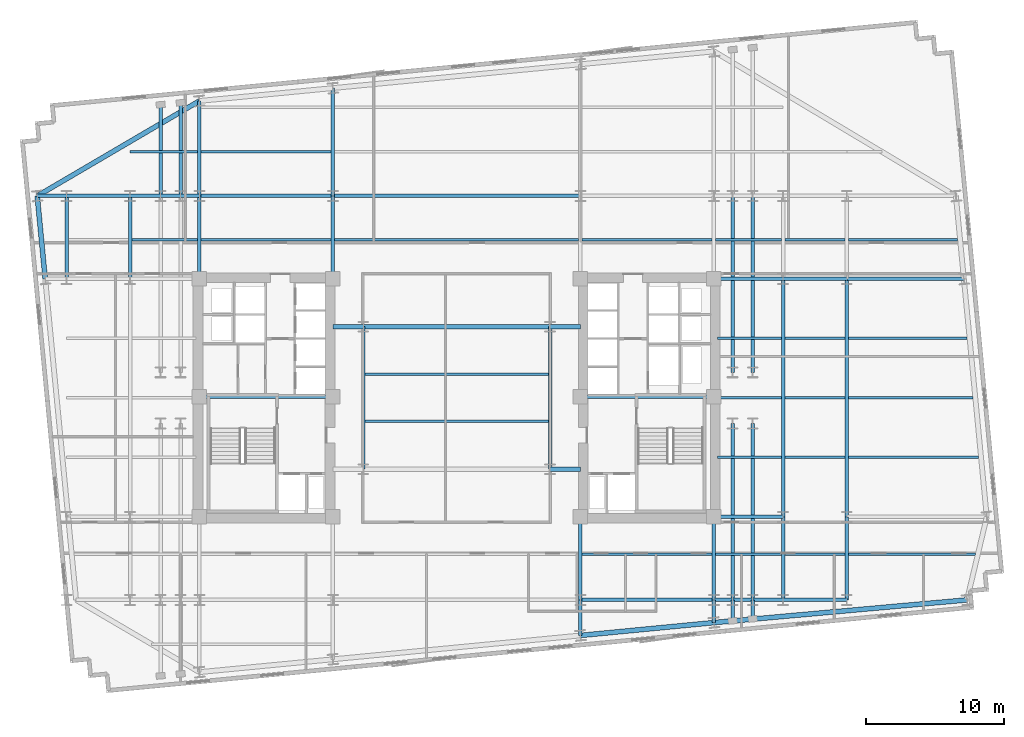
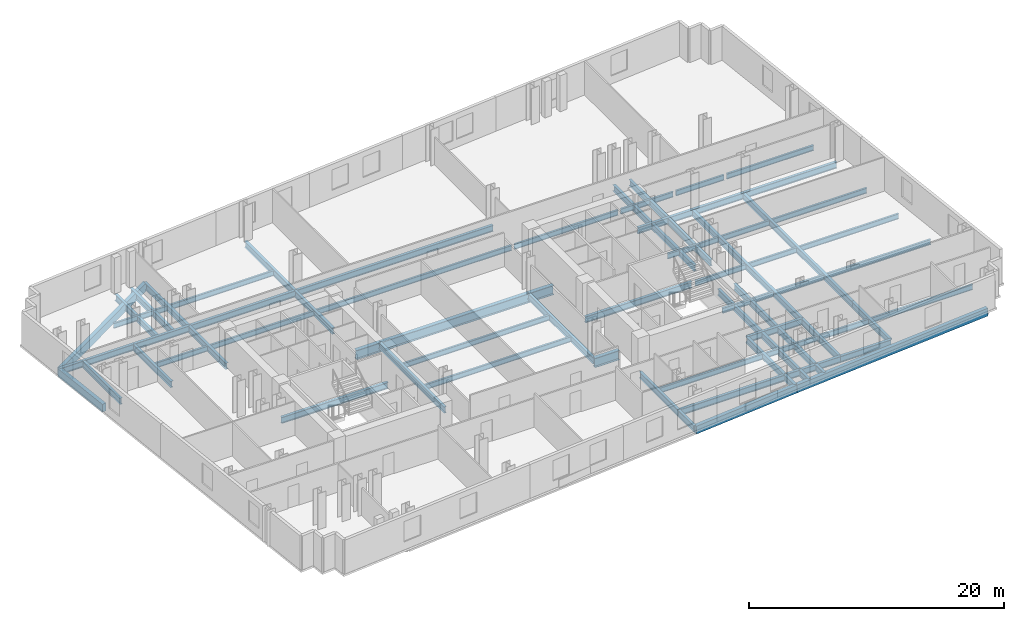
# One storey, part 2 of 10: 70 beams.
"""IFC4 building model written with IfcOpenShell, lengths in metres."""

from ifc_helpers import new_model, si_unit, direction, frame, origin, origin_2d, place, context, subcontext, project, spatial, rectangle, i_section, extrude, material, material_profile, profile_set, type_object, element, save


model = new_model("IFC4")

# Units and contexts
model_context = context("Model", 3, precision=1e-05, world=origin(), true_north=direction((0.0, 1.0)))
body_context = subcontext(model_context, "Body", "Model", "MODEL_VIEW")
ifc_project = project(units=[si_unit("LENGTHUNIT", "METRE"), si_unit("AREAUNIT", "SQUARE_METRE"), si_unit("VOLUMEUNIT", "CUBIC_METRE"), si_unit("PLANEANGLEUNIT", "RADIAN"), si_unit("MASSUNIT", "GRAM", prefix="KILO")], contexts=[model_context])

# Site, building, storey
site_placement = place(None, origin())
site = spatial("IfcSite", under=ifc_project, at=site_placement, CompositionType="ELEMENT")
building_placement = place(site_placement, origin())
building = spatial("IfcBuilding", under=site, at=building_placement, Name="Velakula Bourse", CompositionType="ELEMENT")
storey_placement = place(building_placement, frame((0.0, 0.0, 88.0)))
storey = spatial("IfcBuildingStorey", under=building, at=storey_placement, Name="L23", CompositionType="ELEMENT", Elevation=88.0)

# Beams
ifc_material_1 = material(Name="Steel IS 2062 Grade 350 (E350)", Category="steel")
ifc_material_profile_1 = material_profile(ifc_material_1, i_section(OverallWidth=0.25, OverallDepth=0.60009765625, WebThickness=0.01171875, FlangeThickness=0.023681640625, at=origin_2d()), Name="Steel IS 2062 Grade 350 (E350)")
ifc_profile_set_1 = profile_set([ifc_material_profile_1], Name="Steel IS 2062 Grade 350 (E350)")
beam_type_1 = type_object("IfcBeamType", Name="BM-GRD-600H", PredefinedType="BEAM", material=ifc_profile_set_1)
for number, where, z_axis, x_axis, name in (
    (1, (-18.60009765625, 0.10009765625, -0.47998046875), (1.0, 0.0, 0.0), (0.0, 1.0, 0.0), "L23 Primary Backbone Girder CRW-M"),
    (2, (8.949951171875, 0.10009765625, -0.47998046875), (1.0, 0.0, 0.0), (0.0, 1.0, 0.0), "L23 Primary Backbone Girder CRE-M"),
):
    element("IfcBeam", number, at=place(storey_placement, frame(where, z_axis=z_axis, x_axis=x_axis)), inside=storey, type_object=beam_type_1, Name=name, PredefinedType="BEAM", context=body_context, shape_type="SweptSolid", body=[
        extrude(i_section(OverallWidth=0.25, OverallDepth=0.60009765625, WebThickness=0.01171875, FlangeThickness=0.023681640625, at=origin_2d()), origin(), (0.0, 0.0, 1.0), 9.650146484375),
    ])
for number, where, z_axis, x_axis, name in (
    (3, (-6.75, -5.14990234375, -0.47998046875), (0.0, 1.0, 0.0), (-1.0, 0.0, 0.0), "L23 Primary Backbone Girder SPN-W"),
    (4, (6.75, -5.14990234375, -0.47998046875), (0.0, 1.0, 0.0), (-1.0, 0.0, 0.0), "L23 Primary Backbone Girder SPN-E"),
):
    element("IfcBeam", number, at=place(storey_placement, frame(where, z_axis=z_axis, x_axis=x_axis)), inside=storey, type_object=beam_type_1, Name=name, PredefinedType="BEAM", context=body_context, shape_type="SweptSolid", body=[
        extrude(i_section(OverallWidth=0.25, OverallDepth=0.60009765625, WebThickness=0.01171875, FlangeThickness=0.023681640625, at=origin_2d()), origin(), (0.0, 0.0, 1.0), 10.2998046875),
    ])
for number, where, z_axis, x_axis, name in (
    (5, (-18.60009765625, 8.60009765625, -0.47998046875), (0.0, 1.0, 0.0), (-1.0, 0.0, 0.0), "L23 Fulcrum Grid Girder FLC-WN"),
    (6, (-8.949951171875, 8.60009765625, -0.47998046875), (0.0, 1.0, 0.0), (-1.0, 0.0, 0.0), "L23 Fulcrum Grid Girder FLC-WCN"),
    (7, (8.949951171875, -14.60009765625, -0.47998046875), (0.0, 1.0, 0.0), (-1.0, 0.0, 0.0), "L23 Fulcrum Grid Girder FLC-ECS"),
    (8, (18.60009765625, -14.60009765625, -0.47998046875), (0.0, 1.0, 0.0), (-1.0, 0.0, 0.0), "L23 Fulcrum Grid Girder FLC-ES"),
):
    element("IfcBeam", number, at=place(storey_placement, frame(where, z_axis=z_axis, x_axis=x_axis)), inside=storey, type_object=beam_type_1, Name=name, PredefinedType="BEAM", context=body_context, shape_type="SweptSolid", body=[
        extrude(i_section(OverallWidth=0.25, OverallDepth=0.60009765625, WebThickness=0.01171875, FlangeThickness=0.023681640625, at=origin_2d()), origin(), (0.0, 0.0, 1.0), 6.0),
    ])
for number, where, z_axis, x_axis, name in (
    (9, (8.949951171875, -14.60009765625, -0.47998046875), (1.0, 0.0, 0.0), (0.0, 1.0, 0.0), "L23 Fulcrum Grid Girder FLC-S3"),
    (10, (-18.60009765625, 14.60009765625, -0.47998046875), (1.0, 0.0, 0.0), (0.0, 1.0, 0.0), "L23 Fulcrum Grid Girder FLC-N1"),
):
    element("IfcBeam", number, at=place(storey_placement, frame(where, z_axis=z_axis, x_axis=x_axis)), inside=storey, type_object=beam_type_1, Name=name, PredefinedType="BEAM", context=body_context, shape_type="SweptSolid", body=[
        extrude(i_section(OverallWidth=0.25, OverallDepth=0.60009765625, WebThickness=0.01171875, FlangeThickness=0.023681640625, at=origin_2d()), origin(), (0.0, 0.0, 1.0), 9.650146484375),
    ])
beam_1_placement = place(storey_placement, frame((-8.949951171875, 14.60009765625, -0.47998046875), z_axis=(1.0, 0.0, 0.0), x_axis=(0.0, 1.0, 0.0)))
element("IfcBeam", 11, at=beam_1_placement, inside=storey, type_object=beam_type_1, Name="L23 Fulcrum Grid Girder FLC-N2", PredefinedType="BEAM", context=body_context, shape_type="SweptSolid", body=[
    extrude(i_section(OverallWidth=0.25, OverallDepth=0.60009765625, WebThickness=0.01171875, FlangeThickness=0.023681640625, at=origin_2d()), origin(), (0.0, 0.0, 1.0), 17.89990234375),
])
for number, where, z_axis, x_axis, name in (
    (12, (19.949951171875, -14.60009765625, -0.47998046875), (0.0, 1.0, 0.0), (-1.0, 0.0, 0.0), "L23 Fulcrum Grid Girder FLC-PSE1"),
    (13, (19.949951171875, 1.85009765625, -0.47998046875), (0.0, 1.0, 0.0), (-1.0, 0.0, 0.0), "L23 Fulcrum Grid Girder FLC-PNE1"),
    (14, (21.39990234375, -14.60009765625, -0.47998046875), (0.0, 1.0, 0.0), (-1.0, 0.0, 0.0), "L23 Fulcrum Grid Girder FLC-PSE2"),
    (15, (21.39990234375, 1.85009765625, -0.47998046875), (0.0, 1.0, 0.0), (-1.0, 0.0, 0.0), "L23 Fulcrum Grid Girder FLC-PNE2"),
):
    element("IfcBeam", number, at=place(storey_placement, frame(where, z_axis=z_axis, x_axis=x_axis)), inside=storey, type_object=beam_type_1, Name=name, PredefinedType="BEAM", context=body_context, shape_type="SweptSolid", body=[
        extrude(i_section(OverallWidth=0.25, OverallDepth=0.60009765625, WebThickness=0.01171875, FlangeThickness=0.023681640625, at=origin_2d()), origin(), (0.0, 0.0, 1.0), 12.75),
    ])
beam_2_placement = place(storey_placement, frame((-23.60009765625, 14.60009765625, -0.47998046875), z_axis=(1.0, 0.0, 0.0), x_axis=(0.0, 1.0, 0.0)))
element("IfcBeam", 16, at=beam_2_placement, inside=storey, type_object=beam_type_1, Name="L23 Fulcrum Grid Girder MWG-WN2", PredefinedType="BEAM", context=body_context, shape_type="SweptSolid", body=[
    extrude(i_section(OverallWidth=0.25, OverallDepth=0.60009765625, WebThickness=0.01171875, FlangeThickness=0.023681640625, at=origin_2d()), origin(), (0.0, 0.0, 1.0), 5.0),
])
beam_3_placement = place(storey_placement, frame((-23.60009765625, 8.60009765625, -0.47998046875), z_axis=(0.0, 1.0, 0.0), x_axis=(-1.0, 0.0, 0.0)))
element("IfcBeam", 17, at=beam_3_placement, inside=storey, type_object=beam_type_1, Name="L23 Fulcrum Grid Girder MWG-WNS3", PredefinedType="BEAM", context=body_context, shape_type="SweptSolid", body=[
    extrude(i_section(OverallWidth=0.25, OverallDepth=0.60009765625, WebThickness=0.01171875, FlangeThickness=0.023681640625, at=origin_2d()), origin(), (0.0, 0.0, 1.0), 6.0),
])
for number, where, z_axis, x_axis, name in (
    (18, (18.60009765625, -14.60009765625, -0.47998046875), (1.0, 0.0, 0.0), (0.0, 1.0, 0.0), "L23 Fulcrum Grid Girder MWG-ES1"),
    (19, (18.60009765625, -8.60009765625, -0.47998046875), (1.0, 0.0, 0.0), (0.0, 1.0, 0.0), "L23 Fulcrum Grid Girder MWG-ES2"),
    (20, (18.60009765625, 8.60009765625, -0.47998046875), (1.0, 0.0, 0.0), (0.0, 1.0, 0.0), "L23 Fulcrum Grid Girder MWG-EN1"),
):
    element("IfcBeam", number, at=place(storey_placement, frame(where, z_axis=z_axis, x_axis=x_axis)), inside=storey, type_object=beam_type_1, Name=name, PredefinedType="BEAM", context=body_context, shape_type="SweptSolid", body=[
        extrude(i_section(OverallWidth=0.25, OverallDepth=0.60009765625, WebThickness=0.01171875, FlangeThickness=0.023681640625, at=origin_2d()), origin(), (0.0, 0.0, 1.0), 5.0),
    ])
beam_4_placement = place(storey_placement, frame((23.60009765625, -14.60009765625, -0.47998046875), z_axis=(0.0, 1.0, 0.0), x_axis=(-1.0, 0.0, 0.0)))
element("IfcBeam", 21, at=beam_4_placement, inside=storey, type_object=beam_type_1, Name="L23 Fulcrum Grid Girder MWG-ENS1", PredefinedType="BEAM", context=body_context, shape_type="SweptSolid", body=[
    extrude(i_section(OverallWidth=0.25, OverallDepth=0.60009765625, WebThickness=0.01171875, FlangeThickness=0.023681640625, at=origin_2d()), origin(), (0.0, 0.0, 1.0), 6.0),
])
beam_5_placement = place(storey_placement, frame((23.60009765625, -8.60009765625, -0.47998046875), z_axis=(0.0, 1.0, 0.0), x_axis=(-1.0, 0.0, 0.0)))
element("IfcBeam", 22, at=beam_5_placement, inside=storey, type_object=beam_type_1, Name="L23 Fulcrum Grid Girder MWG-ENS2", PredefinedType="BEAM", context=body_context, shape_type="SweptSolid", body=[
    extrude(i_section(OverallWidth=0.25, OverallDepth=0.60009765625, WebThickness=0.01171875, FlangeThickness=0.023681640625, at=origin_2d()), origin(), (0.0, 0.0, 1.0), 17.2001953125),
])
beam_6_placement = place(storey_placement, frame((-28.199951171875, 14.60009765625, -0.47998046875), z_axis=(1.0, 0.0, 0.0), x_axis=(0.0, 1.0, 0.0)))
element("IfcBeam", 23, at=beam_6_placement, inside=storey, type_object=beam_type_1, Name="L23 Fulcrum Grid Girder WNG-WN2", PredefinedType="BEAM", context=body_context, shape_type="SweptSolid", body=[
    extrude(i_section(OverallWidth=0.25, OverallDepth=0.60009765625, WebThickness=0.01171875, FlangeThickness=0.023681640625, at=origin_2d()), origin(), (0.0, 0.0, 1.0), 4.599853515625),
])
beam_7_placement = place(storey_placement, frame((-28.199951171875, 8.60009765625, -0.47998046875), z_axis=(0.0, 1.0, 0.0), x_axis=(-1.0, 0.0, 0.0)))
element("IfcBeam", 24, at=beam_7_placement, inside=storey, type_object=beam_type_1, Name="L23 Fulcrum Grid Girder WNG-WNS3", PredefinedType="BEAM", context=body_context, shape_type="SweptSolid", body=[
    extrude(i_section(OverallWidth=0.25, OverallDepth=0.60009765625, WebThickness=0.01171875, FlangeThickness=0.023681640625, at=origin_2d()), origin(), (0.0, 0.0, 1.0), 6.0),
])
for number, where, z_axis, x_axis, name in (
    (25, (23.60009765625, -14.60009765625, -0.47998046875), (1.0, 0.0, 0.0), (0.0, 1.0, 0.0), "L23 Fulcrum Grid Girder WNG-ES1"),
    (26, (23.60009765625, 8.60009765625, -0.47998046875), (1.0, 0.0, 0.0), (0.0, 1.0, 0.0), "L23 Fulcrum Grid Girder WNG-EN1"),
):
    element("IfcBeam", number, at=place(storey_placement, frame(where, z_axis=z_axis, x_axis=x_axis)), inside=storey, type_object=beam_type_1, Name=name, PredefinedType="BEAM", context=body_context, shape_type="SweptSolid", body=[
        extrude(i_section(OverallWidth=0.25, OverallDepth=0.60009765625, WebThickness=0.01171875, FlangeThickness=0.023681640625, at=origin_2d()), origin(), (0.0, 0.0, 1.0), 4.599853515625),
    ])
beam_8_placement = place(storey_placement, frame((28.199951171875, -14.60009765625, -0.47998046875), z_axis=(0.0, 1.0, 0.0), x_axis=(-1.0, 0.0, 0.0)))
element("IfcBeam", 27, at=beam_8_placement, inside=storey, type_object=beam_type_1, Name="L23 Fulcrum Grid Girder WNG-ENS1", PredefinedType="BEAM", context=body_context, shape_type="SweptSolid", body=[
    extrude(i_section(OverallWidth=0.25, OverallDepth=0.60009765625, WebThickness=0.01171875, FlangeThickness=0.023681640625, at=origin_2d()), origin(), (0.0, 0.0, 1.0), 6.0),
])
beam_9_placement = place(storey_placement, frame((28.199951171875, -8.60009765625, -0.47998046875), z_axis=(0.0, 1.0, 0.0), x_axis=(-1.0, 0.0, 0.0)))
element("IfcBeam", 28, at=beam_9_placement, inside=storey, type_object=beam_type_1, Name="L23 Fulcrum Grid Girder WNG-ENS2", PredefinedType="BEAM", context=body_context, shape_type="SweptSolid", body=[
    extrude(i_section(OverallWidth=0.25, OverallDepth=0.60009765625, WebThickness=0.01171875, FlangeThickness=0.023681640625, at=origin_2d()), origin(), (0.0, 0.0, 1.0), 17.2001953125),
])
beam_10_placement = place(storey_placement, frame((8.949951171875, -14.60009765625, -0.47998046875), z_axis=(0.0, -1.0, 0.0), x_axis=(1.0, 0.0, 0.0)))
element("IfcBeam", 29, at=beam_10_placement, inside=storey, type_object=beam_type_1, Name="L23 Perimeter Tie Girder S3", PredefinedType="BEAM", context=body_context, shape_type="SweptSolid", body=[
    extrude(i_section(OverallWidth=0.25, OverallDepth=0.60009765625, WebThickness=0.01171875, FlangeThickness=0.023681640625, at=origin_2d()), origin(), (0.0, 0.0, 1.0), 2.568359375),
])
beam_11_placement = place(storey_placement, frame((18.60009765625, -14.60009765625, -0.47998046875), z_axis=(0.0, -1.0, 0.0), x_axis=(1.0, 0.0, 0.0)))
element("IfcBeam", 30, at=beam_11_placement, inside=storey, type_object=beam_type_1, Name="L23 Perimeter Tie Girder S4", PredefinedType="BEAM", context=body_context, shape_type="SweptSolid", body=[
    extrude(i_section(OverallWidth=0.25, OverallDepth=0.60009765625, WebThickness=0.01171875, FlangeThickness=0.023681640625, at=origin_2d()), origin(), (0.0, 0.0, 1.0), 1.63916015625),
])
beam_12_placement = place(storey_placement, frame((-18.60009765625, 14.60009765625, -0.47998046875), z_axis=(0.0, 1.0, 0.0), x_axis=(-1.0, 0.0, 0.0)))
element("IfcBeam", 31, at=beam_12_placement, inside=storey, type_object=beam_type_1, Name="L23 Perimeter Tie Girder N1", PredefinedType="BEAM", context=body_context, shape_type="SweptSolid", body=[
    extrude(i_section(OverallWidth=0.25, OverallDepth=0.60009765625, WebThickness=0.01171875, FlangeThickness=0.023681640625, at=origin_2d()), origin(), (0.0, 0.0, 1.0), 6.868896484375),
])
beam_13_placement = place(storey_placement, frame((-8.949951171875, 14.60009765625, -0.47998046875), z_axis=(0.0, 1.0, 0.0), x_axis=(-1.0, 0.0, 0.0)))
element("IfcBeam", 32, at=beam_13_placement, inside=storey, type_object=beam_type_1, Name="L23 Perimeter Tie Girder N2", PredefinedType="BEAM", context=body_context, shape_type="SweptSolid", body=[
    extrude(i_section(OverallWidth=0.25, OverallDepth=0.60009765625, WebThickness=0.01171875, FlangeThickness=0.023681640625, at=origin_2d()), origin(), (0.0, 0.0, 1.0), 7.798095703125),
])
beam_14_placement = place(storey_placement, frame((-28.199951171875, 14.60009765625, -0.47998046875), z_axis=(-1.0, 0.0, 0.0), x_axis=(0.0, -1.0, 0.0)))
element("IfcBeam", 33, at=beam_14_placement, inside=storey, type_object=beam_type_1, Name="L23 Perimeter Tie Girder W4", PredefinedType="BEAM", context=body_context, shape_type="SweptSolid", body=[
    extrude(i_section(OverallWidth=0.25, OverallDepth=0.60009765625, WebThickness=0.01171875, FlangeThickness=0.023681640625, at=origin_2d()), origin(), (0.0, 0.0, 1.0), 2.119873046875),
])
beam_15_placement = place(storey_placement, frame((28.199951171875, 8.60009765625, -0.47998046875), z_axis=(1.0, 0.0, 0.0), x_axis=(0.0, 1.0, 0.0)))
element("IfcBeam", 34, at=beam_15_placement, inside=storey, type_object=beam_type_1, Name="L23 Perimeter Tie Girder E3", PredefinedType="BEAM", context=body_context, shape_type="SweptSolid", body=[
    extrude(i_section(OverallWidth=0.25, OverallDepth=0.60009765625, WebThickness=0.01171875, FlangeThickness=0.023681640625, at=origin_2d()), origin(), (0.0, 0.0, 1.0), 8.463623046875),
])
beam_16_placement = place(storey_placement, frame((19.949951171875, -14.60009765625, -0.47998046875), z_axis=(0.0, -1.0, 0.0), x_axis=(1.0, 0.0, 0.0)))
element("IfcBeam", 35, at=beam_16_placement, inside=storey, type_object=beam_type_1, Name="L23 Perimeter Tie Girder P03", PredefinedType="BEAM", context=body_context, shape_type="SweptSolid", body=[
    extrude(i_section(OverallWidth=0.25, OverallDepth=0.60009765625, WebThickness=0.01171875, FlangeThickness=0.023681640625, at=origin_2d()), origin(), (0.0, 0.0, 1.0), 1.509033203125),
])
beam_17_placement = place(storey_placement, frame((21.39990234375, -14.60009765625, -0.47998046875), z_axis=(0.0, -1.0, 0.0), x_axis=(1.0, 0.0, 0.0)))
element("IfcBeam", 36, at=beam_17_placement, inside=storey, type_object=beam_type_1, Name="L23 Perimeter Tie Girder P04", PredefinedType="BEAM", context=body_context, shape_type="SweptSolid", body=[
    extrude(i_section(OverallWidth=0.25, OverallDepth=0.60009765625, WebThickness=0.01171875, FlangeThickness=0.023681640625, at=origin_2d()), origin(), (0.0, 0.0, 1.0), 1.369384765625),
])
beam_18_placement = place(storey_placement, frame((-21.39990234375, 14.60009765625, -0.47998046875), z_axis=(0.0, 1.0, 0.0), x_axis=(-1.0, 0.0, 0.0)))
element("IfcBeam", 37, at=beam_18_placement, inside=storey, type_object=beam_type_1, Name="L23 Perimeter Tie Girder P05", PredefinedType="BEAM", context=body_context, shape_type="SweptSolid", body=[
    extrude(i_section(OverallWidth=0.25, OverallDepth=0.60009765625, WebThickness=0.01171875, FlangeThickness=0.023681640625, at=origin_2d()), origin(), (0.0, 0.0, 1.0), 6.59912109375),
])
beam_19_placement = place(storey_placement, frame((-19.949951171875, 14.60009765625, -0.47998046875), z_axis=(0.0, 1.0, 0.0), x_axis=(-1.0, 0.0, 0.0)))
element("IfcBeam", 38, at=beam_19_placement, inside=storey, type_object=beam_type_1, Name="L23 Perimeter Tie Girder P06", PredefinedType="BEAM", context=body_context, shape_type="SweptSolid", body=[
    extrude(i_section(OverallWidth=0.25, OverallDepth=0.60009765625, WebThickness=0.01171875, FlangeThickness=0.023681640625, at=origin_2d()), origin(), (0.0, 0.0, 1.0), 6.73876953125),
])
ifc_material_profile_2 = material_profile(ifc_material_1, i_section(OverallWidth=0.35009765625, OverallDepth=0.89990234375, WebThickness=0.02001953125, FlangeThickness=0.031982421875, at=origin_2d()), Name="Steel IS 2062 Grade 350 (E350)")
ifc_profile_set_2 = profile_set([ifc_material_profile_2], Name="Steel IS 2062 Grade 350 (E350)")
beam_type_2 = type_object("IfcBeamType", Name="BM-LNK-900", PredefinedType="BEAM", material=ifc_profile_set_2)
for number, where, z_axis, x_axis, name in (
    (39, (6.75, -5.14990234375, -0.6298828125), (1.0, 0.0, 0.0), (0.0, 1.0, 0.0), "L23 Primary Backbone Girder LNK-S3"),
    (40, (-8.949951171875, 5.14990234375, -0.6298828125), (1.0, 0.0, 0.0), (0.0, 1.0, 0.0), "L23 Primary Backbone Girder LNK-N1"),
):
    element("IfcBeam", number, at=place(storey_placement, frame(where, z_axis=z_axis, x_axis=x_axis)), inside=storey, type_object=beam_type_2, Name=name, PredefinedType="BEAM", context=body_context, shape_type="SweptSolid", body=[
        extrude(i_section(OverallWidth=0.35009765625, OverallDepth=0.89990234375, WebThickness=0.02001953125, FlangeThickness=0.031982421875, at=origin_2d()), origin(), (0.0, 0.0, 1.0), 2.199951171875),
    ])
beam_20_placement = place(storey_placement, frame((-6.75, 5.14990234375, -0.6298828125), z_axis=(1.0, 0.0, 0.0), x_axis=(0.0, 1.0, 0.0)))
element("IfcBeam", 41, at=beam_20_placement, inside=storey, type_object=beam_type_2, Name="L23 Primary Backbone Girder LNK-N2", PredefinedType="BEAM", context=body_context, shape_type="SweptSolid", body=[
    extrude(i_section(OverallWidth=0.35009765625, OverallDepth=0.89990234375, WebThickness=0.02001953125, FlangeThickness=0.031982421875, at=origin_2d()), origin(), (0.0, 0.0, 1.0), 13.5),
])
beam_21_placement = place(storey_placement, frame((6.75, 5.14990234375, -0.6298828125), z_axis=(1.0, 0.0, 0.0), x_axis=(0.0, 1.0, 0.0)))
element("IfcBeam", 42, at=beam_21_placement, inside=storey, type_object=beam_type_2, Name="L23 Primary Backbone Girder LNK-N3", PredefinedType="BEAM", context=body_context, shape_type="SweptSolid", body=[
    extrude(i_section(OverallWidth=0.35009765625, OverallDepth=0.89990234375, WebThickness=0.02001953125, FlangeThickness=0.031982421875, at=origin_2d()), origin(), (0.0, 0.0, 1.0), 2.199951171875),
])
ifc_material_profile_3 = material_profile(ifc_material_1, i_section(OverallWidth=0.179931640625, OverallDepth=0.5, WebThickness=0.01025390625, FlangeThickness=0.01708984375, at=origin_2d()), Name="Steel IS 2062 Grade 350 (E350)")
ifc_profile_set_3 = profile_set([ifc_material_profile_3], Name="Steel IS 2062 Grade 350 (E350)")
beam_type_3 = type_object("IfcBeamType", Name="JST-TWR-500", PredefinedType="JOIST", material=ifc_profile_set_3)
beam_22_placement = place(storey_placement, frame((9.074951171875, -11.300048828125, -0.429931640625), z_axis=(1.0, 0.0, 0.0), x_axis=(0.0, 1.0, 0.0)))
element("IfcBeam", 43, at=beam_22_placement, inside=storey, type_object=beam_type_3, Name="L23 Trading Floor Composite Joist 08", PredefinedType="JOIST", context=body_context, shape_type="SweptSolid", body=[
    extrude(i_section(OverallWidth=0.179931640625, OverallDepth=0.5, WebThickness=0.01025390625, FlangeThickness=0.01708984375, at=origin_2d()), origin(), (0.0, 0.0, 1.0), 9.400146484375),
])
beam_23_placement = place(storey_placement, frame((18.72509765625, -11.300048828125, -0.429931640625), z_axis=(1.0, 0.0, 0.0), x_axis=(0.0, 1.0, 0.0)))
element("IfcBeam", 44, at=beam_23_placement, inside=storey, type_object=beam_type_3, Name="L23 Trading Floor Composite Joist 09", PredefinedType="JOIST", context=body_context, shape_type="SweptSolid", body=[
    extrude(i_section(OverallWidth=0.179931640625, OverallDepth=0.5, WebThickness=0.01025390625, FlangeThickness=0.01708984375, at=origin_2d()), origin(), (0.0, 0.0, 1.0), 4.75),
])
beam_24_placement = place(storey_placement, frame((23.72509765625, -11.300048828125, -0.429931640625), z_axis=(1.0, 0.0, 0.0), x_axis=(0.0, 1.0, 0.0)))
element("IfcBeam", 45, at=beam_24_placement, inside=storey, type_object=beam_type_3, Name="L23 Trading Floor Composite Joist 10", PredefinedType="JOIST", context=body_context, shape_type="SweptSolid", body=[
    extrude(i_section(OverallWidth=0.179931640625, OverallDepth=0.5, WebThickness=0.01025390625, FlangeThickness=0.01708984375, at=origin_2d()), origin(), (0.0, 0.0, 1.0), 4.349853515625),
])
beam_25_placement = place(storey_placement, frame((28.324951171875, -11.300048828125, -0.429931640625), z_axis=(1.0, 0.0, 0.0), x_axis=(0.0, 1.0, 0.0)))
element("IfcBeam", 46, at=beam_25_placement, inside=storey, type_object=beam_type_3, Name="L23 Trading Floor Composite Joist 11", PredefinedType="JOIST", context=body_context, shape_type="SweptSolid", body=[
    extrude(i_section(OverallWidth=0.179931640625, OverallDepth=0.5, WebThickness=0.01025390625, FlangeThickness=0.01708984375, at=origin_2d()), origin(), (0.0, 0.0, 1.0), 9.170654296875),
])
beam_26_placement = place(storey_placement, frame((-23.47509765625, 11.449951171875, -0.429931640625), z_axis=(1.0, 0.0, 0.0), x_axis=(0.0, 1.0, 0.0)))
element("IfcBeam", 47, at=beam_26_placement, inside=storey, type_object=beam_type_3, Name="L23 Trading Floor Composite Joist 13", PredefinedType="JOIST", context=body_context, shape_type="SweptSolid", body=[
    extrude(i_section(OverallWidth=0.179931640625, OverallDepth=0.5, WebThickness=0.01025390625, FlangeThickness=0.01708984375, at=origin_2d()), origin(), (0.0, 0.0, 1.0), 4.75),
])
beam_27_placement = place(storey_placement, frame((-18.47509765625, 11.449951171875, -0.429931640625), z_axis=(1.0, 0.0, 0.0), x_axis=(0.0, 1.0, 0.0)))
element("IfcBeam", 48, at=beam_27_placement, inside=storey, type_object=beam_type_3, Name="L23 Trading Floor Composite Joist 14", PredefinedType="JOIST", context=body_context, shape_type="SweptSolid", body=[
    extrude(i_section(OverallWidth=0.179931640625, OverallDepth=0.5, WebThickness=0.01025390625, FlangeThickness=0.01708984375, at=origin_2d()), origin(), (0.0, 0.0, 1.0), 9.400146484375),
])
beam_28_placement = place(storey_placement, frame((-8.824951171875, 11.449951171875, -0.429931640625), z_axis=(1.0, 0.0, 0.0), x_axis=(0.0, 1.0, 0.0)))
element("IfcBeam", 49, at=beam_28_placement, inside=storey, type_object=beam_type_3, Name="L23 Trading Floor Composite Joist 15", PredefinedType="JOIST", context=body_context, shape_type="SweptSolid", body=[
    extrude(i_section(OverallWidth=0.179931640625, OverallDepth=0.5, WebThickness=0.01025390625, FlangeThickness=0.01708984375, at=origin_2d()), origin(), (0.0, 0.0, 1.0), 17.64990234375),
])
beam_29_placement = place(storey_placement, frame((9.074951171875, 11.449951171875, -0.429931640625), z_axis=(1.0, 0.0, 0.0), x_axis=(0.0, 1.0, 0.0)))
element("IfcBeam", 50, at=beam_29_placement, inside=storey, type_object=beam_type_3, Name="L23 Trading Floor Composite Joist 16", PredefinedType="JOIST", context=body_context, shape_type="SweptSolid", body=[
    extrude(i_section(OverallWidth=0.179931640625, OverallDepth=0.5, WebThickness=0.01025390625, FlangeThickness=0.01708984375, at=origin_2d()), origin(), (0.0, 0.0, 1.0), 9.400146484375),
])
beam_30_placement = place(storey_placement, frame((18.72509765625, 11.449951171875, -0.429931640625), z_axis=(1.0, 0.0, 0.0), x_axis=(0.0, 1.0, 0.0)))
element("IfcBeam", 51, at=beam_30_placement, inside=storey, type_object=beam_type_3, Name="L23 Trading Floor Composite Joist 17", PredefinedType="JOIST", context=body_context, shape_type="SweptSolid", body=[
    extrude(i_section(OverallWidth=0.179931640625, OverallDepth=0.5, WebThickness=0.01025390625, FlangeThickness=0.01708984375, at=origin_2d()), origin(), (0.0, 0.0, 1.0), 4.75),
])
beam_31_placement = place(storey_placement, frame((23.72509765625, 11.449951171875, -0.429931640625), z_axis=(1.0, 0.0, 0.0), x_axis=(0.0, 1.0, 0.0)))
element("IfcBeam", 52, at=beam_31_placement, inside=storey, type_object=beam_type_3, Name="L23 Trading Floor Composite Joist 18", PredefinedType="JOIST", context=body_context, shape_type="SweptSolid", body=[
    extrude(i_section(OverallWidth=0.179931640625, OverallDepth=0.5, WebThickness=0.01025390625, FlangeThickness=0.01708984375, at=origin_2d()), origin(), (0.0, 0.0, 1.0), 4.349853515625),
])
beam_32_placement = place(storey_placement, frame((28.324951171875, 11.449951171875, -0.429931640625), z_axis=(1.0, 0.0, 0.0), x_axis=(0.0, 1.0, 0.0)))
element("IfcBeam", 53, at=beam_32_placement, inside=storey, type_object=beam_type_3, Name="L23 Trading Floor Composite Joist 19", PredefinedType="JOIST", context=body_context, shape_type="SweptSolid", body=[
    extrude(i_section(OverallWidth=0.179931640625, OverallDepth=0.5, WebThickness=0.01025390625, FlangeThickness=0.01708984375, at=origin_2d()), origin(), (0.0, 0.0, 1.0), 7.888427734375),
])
beam_33_placement = place(storey_placement, frame((-23.60009765625, 17.800048828125, -0.429931640625), z_axis=(1.0, 0.0, 0.0), x_axis=(0.0, 1.0, 0.0)))
element("IfcBeam", 54, at=beam_33_placement, inside=storey, type_object=beam_type_3, Name="L23 Trading Floor Composite Joist 20", PredefinedType="JOIST", context=body_context, shape_type="SweptSolid", body=[
    extrude(i_section(OverallWidth=0.179931640625, OverallDepth=0.5, WebThickness=0.01025390625, FlangeThickness=0.01708984375, at=origin_2d()), origin(), (0.0, 0.0, 1.0), 4.875),
])
beam_34_placement = place(storey_placement, frame((-18.47509765625, 17.800048828125, -0.429931640625), z_axis=(1.0, 0.0, 0.0), x_axis=(0.0, 1.0, 0.0)))
element("IfcBeam", 55, at=beam_34_placement, inside=storey, type_object=beam_type_3, Name="L23 Trading Floor Composite Joist 21", PredefinedType="JOIST", context=body_context, shape_type="SweptSolid", body=[
    extrude(i_section(OverallWidth=0.179931640625, OverallDepth=0.5, WebThickness=0.01025390625, FlangeThickness=0.01708984375, at=origin_2d()), origin(), (0.0, 0.0, 1.0), 9.400146484375),
])
for number, where, z_axis, x_axis, name in (
    (56, (-6.625, -1.699951171875, -0.429931640625), (1.0, 0.0, 0.0), (0.0, 1.0, 0.0), "L23 Trading Floor Composite Joist 31"),
    (57, (-6.625, 1.699951171875, -0.429931640625), (1.0, 0.0, 0.0), (0.0, 1.0, 0.0), "L23 Trading Floor Composite Joist 32"),
):
    element("IfcBeam", number, at=place(storey_placement, frame(where, z_axis=z_axis, x_axis=x_axis)), inside=storey, type_object=beam_type_3, Name=name, PredefinedType="JOIST", context=body_context, shape_type="SweptSolid", body=[
        extrude(i_section(OverallWidth=0.179931640625, OverallDepth=0.5, WebThickness=0.01025390625, FlangeThickness=0.01708984375, at=origin_2d()), origin(), (0.0, 0.0, 1.0), 13.25),
    ])
beam_35_placement = place(storey_placement, frame((18.85009765625, -4.300048828125, -0.429931640625), z_axis=(1.0, 0.0, 0.0), x_axis=(0.0, 1.0, 0.0)))
element("IfcBeam", 58, at=beam_35_placement, inside=storey, type_object=beam_type_3, Name="L23 Trading Floor Composite Joist 35", PredefinedType="JOIST", context=body_context, shape_type="SweptSolid", body=[
    extrude(i_section(OverallWidth=0.179931640625, OverallDepth=0.5, WebThickness=0.01025390625, FlangeThickness=0.01708984375, at=origin_2d()), origin(), (0.0, 0.0, 1.0), 4.625),
])
beam_36_placement = place(storey_placement, frame((23.72509765625, -4.300048828125, -0.429931640625), z_axis=(1.0, 0.0, 0.0), x_axis=(0.0, 1.0, 0.0)))
element("IfcBeam", 59, at=beam_36_placement, inside=storey, type_object=beam_type_3, Name="L23 Trading Floor Composite Joist 36", PredefinedType="JOIST", context=body_context, shape_type="SweptSolid", body=[
    extrude(i_section(OverallWidth=0.179931640625, OverallDepth=0.5, WebThickness=0.01025390625, FlangeThickness=0.01708984375, at=origin_2d()), origin(), (0.0, 0.0, 1.0), 4.349853515625),
])
beam_37_placement = place(storey_placement, frame((28.324951171875, -4.300048828125, -0.429931640625), z_axis=(1.0, 0.0, 0.0), x_axis=(0.0, 1.0, 0.0)))
element("IfcBeam", 60, at=beam_37_placement, inside=storey, type_object=beam_type_3, Name="L23 Trading Floor Composite Joist 37", PredefinedType="JOIST", context=body_context, shape_type="SweptSolid", body=[
    extrude(i_section(OverallWidth=0.179931640625, OverallDepth=0.5, WebThickness=0.01025390625, FlangeThickness=0.01708984375, at=origin_2d()), origin(), (0.0, 0.0, 1.0), 9.405029296875),
])
beam_38_placement = place(storey_placement, frame((18.85009765625, 0.0, -0.429931640625), z_axis=(1.0, 0.0, 0.0), x_axis=(0.0, 1.0, 0.0)))
element("IfcBeam", 61, at=beam_38_placement, inside=storey, type_object=beam_type_3, Name="L23 Trading Floor Composite Joist 40", PredefinedType="JOIST", context=body_context, shape_type="SweptSolid", body=[
    extrude(i_section(OverallWidth=0.179931640625, OverallDepth=0.5, WebThickness=0.01025390625, FlangeThickness=0.01708984375, at=origin_2d()), origin(), (0.0, 0.0, 1.0), 4.625),
])
beam_39_placement = place(storey_placement, frame((23.72509765625, 0.0, -0.429931640625), z_axis=(1.0, 0.0, 0.0), x_axis=(0.0, 1.0, 0.0)))
element("IfcBeam", 62, at=beam_39_placement, inside=storey, type_object=beam_type_3, Name="L23 Trading Floor Composite Joist 41", PredefinedType="JOIST", context=body_context, shape_type="SweptSolid", body=[
    extrude(i_section(OverallWidth=0.179931640625, OverallDepth=0.5, WebThickness=0.01025390625, FlangeThickness=0.01708984375, at=origin_2d()), origin(), (0.0, 0.0, 1.0), 4.349853515625),
])
beam_40_placement = place(storey_placement, frame((28.324951171875, 0.0, -0.429931640625), z_axis=(1.0, 0.0, 0.0), x_axis=(0.0, 1.0, 0.0)))
element("IfcBeam", 63, at=beam_40_placement, inside=storey, type_object=beam_type_3, Name="L23 Trading Floor Composite Joist 42", PredefinedType="JOIST", context=body_context, shape_type="SweptSolid", body=[
    extrude(i_section(OverallWidth=0.179931640625, OverallDepth=0.5, WebThickness=0.01025390625, FlangeThickness=0.01708984375, at=origin_2d()), origin(), (0.0, 0.0, 1.0), 8.990966796875),
])
beam_41_placement = place(storey_placement, frame((18.85009765625, 4.300048828125, -0.429931640625), z_axis=(1.0, 0.0, 0.0), x_axis=(0.0, 1.0, 0.0)))
element("IfcBeam", 64, at=beam_41_placement, inside=storey, type_object=beam_type_3, Name="L23 Trading Floor Composite Joist 45", PredefinedType="JOIST", context=body_context, shape_type="SweptSolid", body=[
    extrude(i_section(OverallWidth=0.179931640625, OverallDepth=0.5, WebThickness=0.01025390625, FlangeThickness=0.01708984375, at=origin_2d()), origin(), (0.0, 0.0, 1.0), 4.625),
])
beam_42_placement = place(storey_placement, frame((23.72509765625, 4.300048828125, -0.429931640625), z_axis=(1.0, 0.0, 0.0), x_axis=(0.0, 1.0, 0.0)))
element("IfcBeam", 65, at=beam_42_placement, inside=storey, type_object=beam_type_3, Name="L23 Trading Floor Composite Joist 46", PredefinedType="JOIST", context=body_context, shape_type="SweptSolid", body=[
    extrude(i_section(OverallWidth=0.179931640625, OverallDepth=0.5, WebThickness=0.01025390625, FlangeThickness=0.01708984375, at=origin_2d()), origin(), (0.0, 0.0, 1.0), 4.349853515625),
])
beam_43_placement = place(storey_placement, frame((28.324951171875, 4.300048828125, -0.429931640625), z_axis=(1.0, 0.0, 0.0), x_axis=(0.0, 1.0, 0.0)))
element("IfcBeam", 66, at=beam_43_placement, inside=storey, type_object=beam_type_3, Name="L23 Trading Floor Composite Joist 47", PredefinedType="JOIST", context=body_context, shape_type="SweptSolid", body=[
    extrude(i_section(OverallWidth=0.179931640625, OverallDepth=0.5, WebThickness=0.01025390625, FlangeThickness=0.01708984375, at=origin_2d()), origin(), (0.0, 0.0, 1.0), 8.576904296875),
])
ifc_material_2 = material(Name="Precast concrete M45 (fck 45 MPa)", Category="concrete")
ifc_material_profile_4 = material_profile(ifc_material_2, rectangle(XDim=0.35009765625, YDim=0.75, at=origin_2d()), Name="Precast concrete M45 (fck 45 MPa)")
ifc_profile_set_4 = profile_set([ifc_material_profile_4], Name="Precast concrete M45 (fck 45 MPa)")
beam_type_4 = type_object("IfcBeamType", Name="SPN-BRICK-750", PredefinedType="SPANDREL", material=ifc_profile_set_4)
beam_44_placement = place(storey_placement, frame((8.949951171875, -17.16845703125, -0.554931640625), z_axis=(0.99539623971, 0.095845323155, 0.0), x_axis=(-0.095845323155, 0.99539623971, 0.0)))
element("IfcBeam", 67, at=beam_44_placement, inside=storey, type_object=beam_type_4, Name="L23 Brick-Faced Precast Spandrel S3-S4", PredefinedType="SPANDREL", context=body_context, shape_type="SweptSolid", body=[
    extrude(rectangle(XDim=0.35009765625, YDim=0.75, at=origin_2d()), origin(), (0.0, 0.0, 1.0), 9.69482421875),
])
beam_45_placement = place(storey_placement, frame((-29.7421875, 8.60009765625, -0.554931640625), z_axis=(-0.095829714309, 0.995397742541, 0.0), x_axis=(-0.995397742541, -0.095829714309, 0.0)))
element("IfcBeam", 68, at=beam_45_placement, inside=storey, type_object=beam_type_4, Name="L23 Brick-Faced Precast Spandrel W3-W4", PredefinedType="SPANDREL", context=body_context, shape_type="SweptSolid", body=[
    extrude(rectangle(XDim=0.35009765625, YDim=0.75, at=origin_2d()), origin(), (0.0, 0.0, 1.0), 6.02783203125),
])
beam_46_placement = place(storey_placement, frame((18.60009765625, -16.2392578125, -0.554931640625), z_axis=(0.99600727708, 0.089272078527, 0.0), x_axis=(-0.089272078527, 0.99600727708, 0.0)))
element("IfcBeam", 69, at=beam_46_placement, inside=storey, type_object=beam_type_4, Name="L23 Brick-Faced Precast Spandrel S4-E1", PredefinedType="SPANDREL", context=body_context, shape_type="SweptSolid", body=[
    extrude(rectangle(XDim=0.35009765625, YDim=0.75, at=origin_2d()), origin(), (0.0, 0.0, 1.0), 18.361328125),
])
beam_47_placement = place(storey_placement, frame((-18.60009765625, 21.468994140625, -0.554931640625), z_axis=(-0.862739335169, -0.505648929151, 0.0), x_axis=(0.505648929151, -0.862739335169, 0.0)))
element("IfcBeam", 70, at=beam_47_placement, inside=storey, type_object=beam_type_4, Name="L23 Brick-Faced Precast Spandrel N1-W4", PredefinedType="SPANDREL", context=body_context, shape_type="SweptSolid", body=[
    extrude(rectangle(XDim=0.35009765625, YDim=0.75, at=origin_2d()), origin(), (0.0, 0.0, 1.0), 13.584228515625),
])

save(model, "model.ifc")
